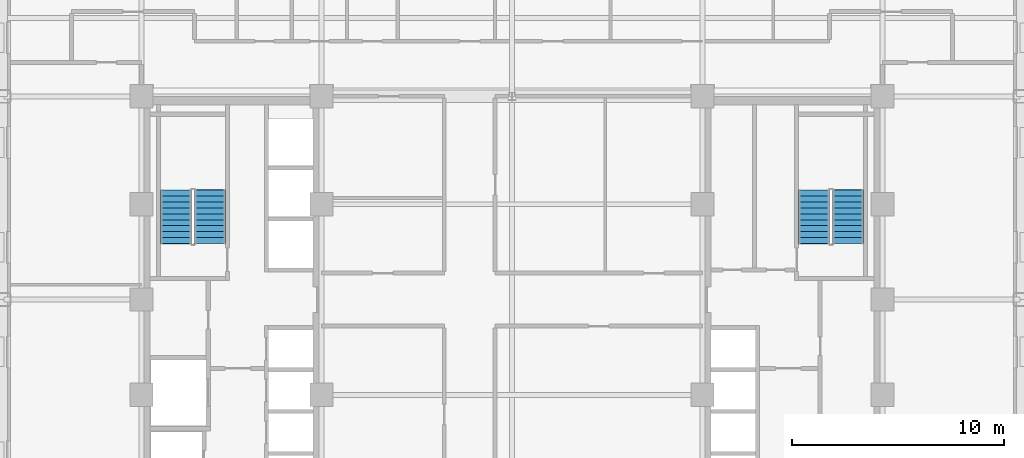
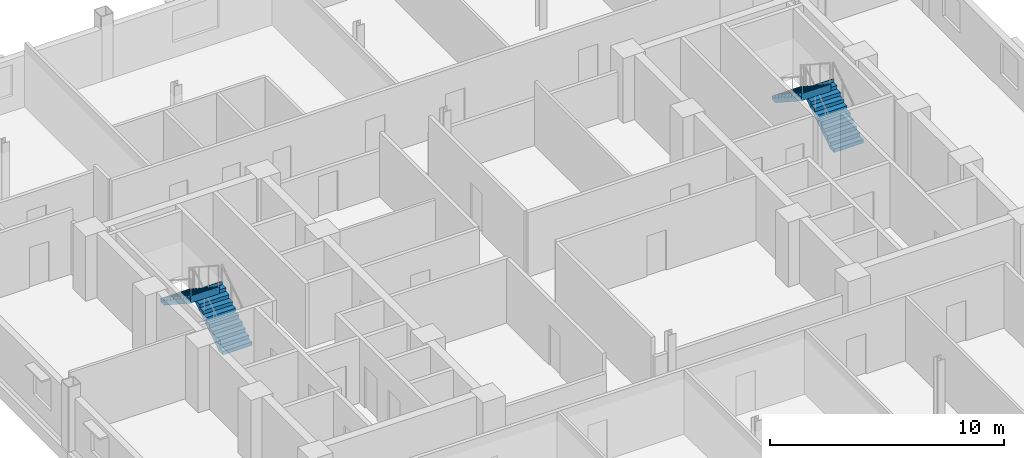
# One storey, part 10 of 14: 4 stair flights, 2 elements without a shape of their own.
"""IFC4 building model written with IfcOpenShell, lengths in metres."""

from ifc_helpers import new_model, si_unit, direction, frame, origin, place, context, subcontext, project, spatial, polyline, outline, extrude, material, type_object, element, aggregate, save


model = new_model("IFC4")

# Units and contexts
model_context = context("Model", 3, precision=1e-05, world=origin(), true_north=direction((0.0, 1.0)))
body_context = subcontext(model_context, "Body", "Model", "MODEL_VIEW")
ifc_project = project(units=[si_unit("LENGTHUNIT", "METRE"), si_unit("AREAUNIT", "SQUARE_METRE"), si_unit("VOLUMEUNIT", "CUBIC_METRE"), si_unit("PLANEANGLEUNIT", "RADIAN"), si_unit("MASSUNIT", "GRAM", prefix="KILO")], contexts=[model_context])

# Site, building, storey
site_placement = place(None, origin())
site = spatial("IfcSite", under=ifc_project, at=site_placement, CompositionType="ELEMENT")
building_placement = place(site_placement, origin())
building = spatial("IfcBuilding", under=site, at=building_placement, Name="Nuvemarco Arch Tower", CompositionType="ELEMENT")
storey_placement = place(building_placement, frame((0.0, 0.0, 105.60009765625)))
storey = spatial("IfcBuildingStorey", under=building, at=storey_placement, Name="L27", CompositionType="ELEMENT", Elevation=105.60009765625)

# Stair, stair flights
ifc_material = material(Name="Precast concrete C45/55", Category="concrete")
stair_type = type_object("IfcStairType", Name="ST-CORE-20R", PredefinedType="HALF_TURN_STAIR", material=ifc_material)
stair_1_placement = place(storey_placement, origin())
stair_1 = element("IfcStair", 1, at=stair_1_placement, inside=storey, type_object=stair_type, Name="L27 Protected Exit Stair ST-1", PredefinedType="HALF_TURN_STAIR")
stair_flight_type = type_object("IfcStairFlightType", Name="SF-CORE-20R", PredefinedType="STRAIGHT", material=ifc_material)
stair_flight_1_placement = place(storey_placement, frame((-14.264892578125, 2.64990234375, 0.0), z_axis=(0.0, 0.0, 1.0), x_axis=(0.0, 1.0, 0.0)))
stair_flight_1 = element("IfcStairFlight", 2, at=stair_flight_1_placement, type_object=stair_flight_type, Name="ST-20R flight 1", NumberOfRisers=10, NumberOfTreads=9, PredefinedType="STRAIGHT", RiserHeight=0.1825, TreadLength=0.28, context=body_context, shape_type="SweptSolid", body=[
    extrude(outline(polyline([(0.0, 0.0), (0.0, 0.1826171875), (0.280029296875, 0.1826171875), (0.280029296875, 0.364990234375), (0.56005859375, 0.364990234375), (0.56005859375, 0.547607421875), (0.840087890625, 0.547607421875), (0.840087890625, 0.72998046875), (1.1201171875, 0.72998046875), (1.1201171875, 0.91259765625), (1.39990234375, 0.91259765625), (1.39990234375, 1.094970703125), (1.679931640625, 1.094970703125), (1.679931640625, 1.277587890625), (1.9599609375, 1.277587890625), (1.9599609375, 1.4599609375), (2.239990234375, 1.4599609375), (2.239990234375, 1.642578125), (2.52001953125, 1.642578125), (2.52001953125, 1.824951171875), (2.5400390625, 1.824951171875), (2.5400390625, 1.45166015625), (0.312744140625, 0.0), (0.0, 0.0)])), frame((0.0, 0.72509765625, 0.0), z_axis=(0.0, -1.0, 0.0), x_axis=(1.0, 0.0, 0.0)), (0.0, 0.0, 1.0), 1.449951171875),
])
stair_flight_2_placement = place(storey_placement, frame((-15.875, 5.169921875, 1.824951171875), z_axis=(0.0, 0.0, 1.0), x_axis=(0.0, -1.0, 0.0)))
stair_flight_2 = element("IfcStairFlight", 3, at=stair_flight_2_placement, type_object=stair_flight_type, Name="ST-20R flight 2", NumberOfRisers=10, NumberOfTreads=9, PredefinedType="STRAIGHT", RiserHeight=0.1825, TreadLength=0.28, context=body_context, shape_type="SweptSolid", body=[
    extrude(outline(polyline([(0.0, 0.0), (0.0, 0.1826171875), (0.280029296875, 0.1826171875), (0.280029296875, 0.364990234375), (0.56005859375, 0.364990234375), (0.56005859375, 0.547607421875), (0.840087890625, 0.547607421875), (0.840087890625, 0.72998046875), (1.1201171875, 0.72998046875), (1.1201171875, 0.91259765625), (1.39990234375, 0.91259765625), (1.39990234375, 1.094970703125), (1.679931640625, 1.094970703125), (1.679931640625, 1.277587890625), (1.9599609375, 1.277587890625), (1.9599609375, 1.4599609375), (2.239990234375, 1.4599609375), (2.239990234375, 1.642578125), (2.52001953125, 1.642578125), (2.52001953125, 1.824951171875), (2.5400390625, 1.824951171875), (2.5400390625, 1.45166015625), (0.312744140625, 0.0), (0.0, 0.0)])), frame((0.0, 0.72509765625, 0.0), z_axis=(0.0, -1.0, 0.0), x_axis=(1.0, 0.0, 0.0)), (0.0, 0.0, 1.0), 1.449951171875),
])
aggregate(stair_1, [stair_flight_1, stair_flight_2])

stair_2_placement = place(storey_placement, origin())
stair_2 = element("IfcStair", 4, at=stair_2_placement, inside=storey, type_object=stair_type, Name="L27 Protected Exit Stair ST-2", PredefinedType="HALF_TURN_STAIR")
stair_flight_3_placement = place(storey_placement, frame((15.875, 2.64990234375, 0.0), z_axis=(0.0, 0.0, 1.0), x_axis=(0.0, 1.0, 0.0)))
stair_flight_3 = element("IfcStairFlight", 5, at=stair_flight_3_placement, type_object=stair_flight_type, Name="ST-20R flight 1", NumberOfRisers=10, NumberOfTreads=9, PredefinedType="STRAIGHT", RiserHeight=0.1825, TreadLength=0.28, context=body_context, shape_type="SweptSolid", body=[
    extrude(outline(polyline([(0.0, 0.0), (0.0, 0.1826171875), (0.280029296875, 0.1826171875), (0.280029296875, 0.364990234375), (0.56005859375, 0.364990234375), (0.56005859375, 0.547607421875), (0.840087890625, 0.547607421875), (0.840087890625, 0.72998046875), (1.1201171875, 0.72998046875), (1.1201171875, 0.91259765625), (1.39990234375, 0.91259765625), (1.39990234375, 1.094970703125), (1.679931640625, 1.094970703125), (1.679931640625, 1.277587890625), (1.9599609375, 1.277587890625), (1.9599609375, 1.4599609375), (2.239990234375, 1.4599609375), (2.239990234375, 1.642578125), (2.52001953125, 1.642578125), (2.52001953125, 1.824951171875), (2.5400390625, 1.824951171875), (2.5400390625, 1.45166015625), (0.312744140625, 0.0), (0.0, 0.0)])), frame((0.0, 0.72509765625, 0.0), z_axis=(0.0, -1.0, 0.0), x_axis=(1.0, 0.0, 0.0)), (0.0, 0.0, 1.0), 1.449951171875),
])
stair_flight_4_placement = place(storey_placement, frame((14.264892578125, 5.169921875, 1.824951171875), z_axis=(0.0, 0.0, 1.0), x_axis=(0.0, -1.0, 0.0)))
stair_flight_4 = element("IfcStairFlight", 6, at=stair_flight_4_placement, type_object=stair_flight_type, Name="ST-20R flight 2", NumberOfRisers=10, NumberOfTreads=9, PredefinedType="STRAIGHT", RiserHeight=0.1825, TreadLength=0.28, context=body_context, shape_type="SweptSolid", body=[
    extrude(outline(polyline([(0.0, 0.0), (0.0, 0.1826171875), (0.280029296875, 0.1826171875), (0.280029296875, 0.364990234375), (0.56005859375, 0.364990234375), (0.56005859375, 0.547607421875), (0.840087890625, 0.547607421875), (0.840087890625, 0.72998046875), (1.1201171875, 0.72998046875), (1.1201171875, 0.91259765625), (1.39990234375, 0.91259765625), (1.39990234375, 1.094970703125), (1.679931640625, 1.094970703125), (1.679931640625, 1.277587890625), (1.9599609375, 1.277587890625), (1.9599609375, 1.4599609375), (2.239990234375, 1.4599609375), (2.239990234375, 1.642578125), (2.52001953125, 1.642578125), (2.52001953125, 1.824951171875), (2.5400390625, 1.824951171875), (2.5400390625, 1.45166015625), (0.312744140625, 0.0), (0.0, 0.0)])), frame((0.0, 0.72509765625, 0.0), z_axis=(0.0, -1.0, 0.0), x_axis=(1.0, 0.0, 0.0)), (0.0, 0.0, 1.0), 1.449951171875),
])
aggregate(stair_2, [stair_flight_3, stair_flight_4])

save(model, "model.ifc")
